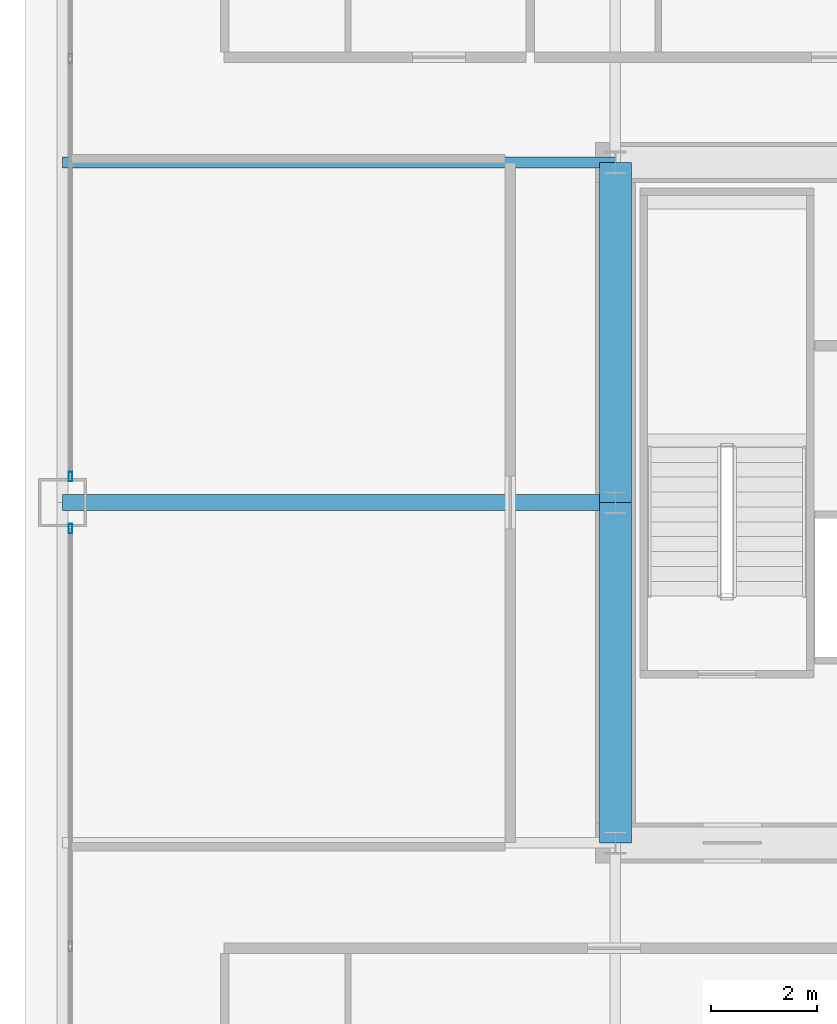
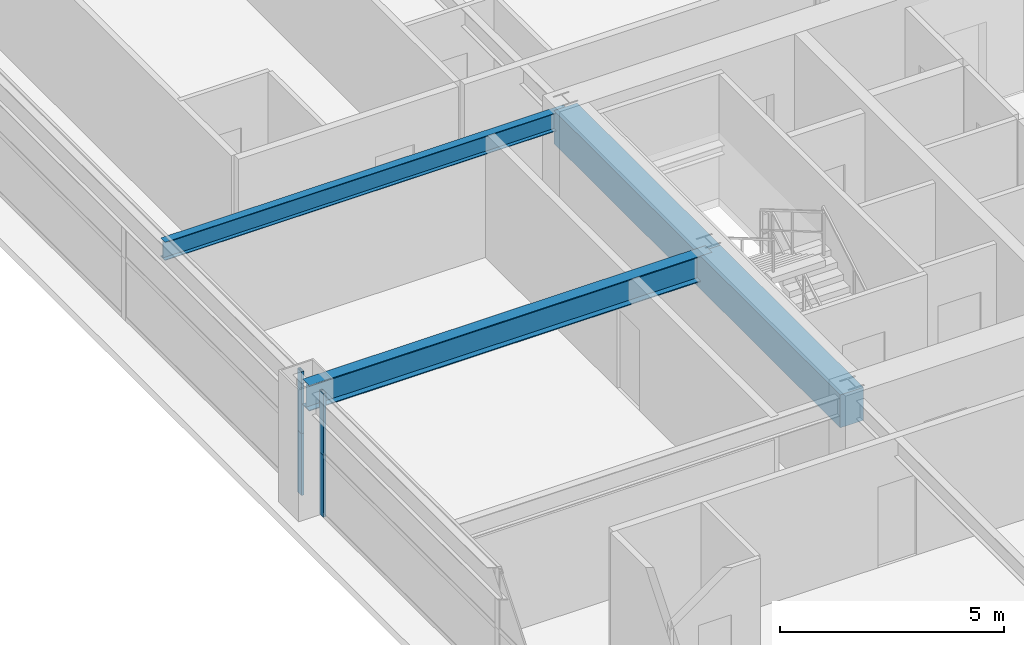
# One storey, part 11 of 38: 4 beams, 4 members, 2 elements without a shape of their own.
"""IFC4 building model written with IfcOpenShell, lengths in metres."""

from ifc_helpers import new_model, si_unit, direction, frame, origin, origin_2d, place, context, subcontext, project, spatial, rectangle, hollow_rectangle, i_section, extrude, source, transform, mapped, material, layer, layer_set, material_profile, profile_set, type_object, element, aggregate, save


model = new_model("IFC4")

# Units and contexts
model_context = context("Model", 3, precision=1e-05, world=origin(), true_north=direction((0.0, 1.0)))
body_context = subcontext(model_context, "Body", "Model", "MODEL_VIEW")
ifc_project = project(units=[si_unit("LENGTHUNIT", "METRE"), si_unit("AREAUNIT", "SQUARE_METRE"), si_unit("VOLUMEUNIT", "CUBIC_METRE"), si_unit("PLANEANGLEUNIT", "RADIAN"), si_unit("MASSUNIT", "GRAM", prefix="KILO"), si_unit("THERMODYNAMICTEMPERATUREUNIT", "KELVIN"), si_unit("POWERUNIT", "WATT")], contexts=[model_context])

# Site, building, storey
site_placement = place(None, origin())
site = spatial("IfcSite", under=ifc_project, at=site_placement, CompositionType="ELEMENT")
building_placement = place(site_placement, origin())
building = spatial("IfcBuilding", under=site, at=building_placement, Name="Yuzanri Waterfront Tower", CompositionType="ELEMENT")
storey_placement = place(building_placement, frame((0.0, 0.0, 119.0)))
storey = spatial("IfcBuildingStorey", under=building, at=storey_placement, Name="L31", CompositionType="ELEMENT", Elevation=119.0)

# Beams
ifc_material_1 = material(Name="Concrete C60", Category="concrete")
ifc_material_profile_1 = material_profile(ifc_material_1, rectangle(XDim=0.60009765625, YDim=0.89990234375, at=origin_2d()), Name="RC 600x900")
ifc_profile_set_1 = profile_set([ifc_material_profile_1], Name="Concrete C60")
beam_type_1 = type_object("IfcBeamType", Name="Core Coupling Lintel Concrete C60 600x900", PredefinedType="LINTEL", material=ifc_profile_set_1)
shared_shape_1 = source(origin(), body_context, "Body", "SweptSolid", [
    extrude(rectangle(XDim=0.60009765625, YDim=0.89990234375, at=origin_2d()), origin(), (0.0, 0.0, 1.0), 6.400146484375),
])
beam_1_placement = place(storey_placement, frame((23.800048828125, 19.39990234375, 2.929931640625), z_axis=(0.0, 1.0, 0.0), x_axis=(-1.0, 0.0, 0.0)))
element("IfcBeam", 1, at=beam_1_placement, inside=storey, type_object=beam_type_1, Name="L31 Core Tie Beam CW1", PredefinedType="LINTEL", context=body_context, shape_type="MappedRepresentation", body=[
    mapped(shared_shape_1, transform((0.0, 0.0, 0.0), scale=1.0)),
])
shared_shape_2 = source(origin(), body_context, "Body", "SweptSolid", [
    extrude(rectangle(XDim=0.60009765625, YDim=0.89990234375, at=origin_2d()), origin(), (0.0, 0.0, 1.0), 6.39990234375),
])
beam_2_placement = place(storey_placement, frame((23.800048828125, 25.800048828125, 2.929931640625), z_axis=(0.0, 1.0, 0.0), x_axis=(-1.0, 0.0, 0.0)))
element("IfcBeam", 2, at=beam_2_placement, inside=storey, type_object=beam_type_1, Name="L31 Core Tie Beam CW2", PredefinedType="LINTEL", context=body_context, shape_type="MappedRepresentation", body=[
    mapped(shared_shape_2, transform((0.0, 0.0, 0.0), scale=1.0)),
])
ifc_material_2 = material(Name="Steel Q355B", Category="steel")
ifc_material_profile_2 = material_profile(ifc_material_2, i_section(OverallWidth=0.300048828125, OverallDepth=0.699951171875, WebThickness=0.012939453125, FlangeThickness=0.02392578125, at=origin_2d()), Name="HN 700x300x13x24")
ifc_profile_set_2 = profile_set([ifc_material_profile_2], Name="Steel Q355B")
beam_type_2 = type_object("IfcBeamType", Name="Primary Floor Girder Q355B HN 700x300", PredefinedType="BEAM", material=ifc_profile_set_2)
shared_shape_3 = source(origin(), body_context, "Body", "SweptSolid", [
    extrude(i_section(OverallWidth=0.300048828125, OverallDepth=0.699951171875, WebThickness=0.012939453125, FlangeThickness=0.02392578125, at=origin_2d()), origin(), (0.0, 0.0, 1.0), 10.400146484375),
])
beam_3_placement = place(storey_placement, frame((23.800048828125, 25.800048828125, 3.030029296875), z_axis=(-1.0, 0.0, 0.0), x_axis=(0.0, -1.0, 0.0)))
element("IfcBeam", 3, at=beam_3_placement, inside=storey, type_object=beam_type_2, Name="L31 West Grid Girder", PredefinedType="BEAM", context=body_context, shape_type="MappedRepresentation", body=[
    mapped(shared_shape_3, transform((0.0, 0.0, 0.0), scale=1.0)),
])
ifc_material_3 = material(Name="Steel Q355B", Category="steel")
ifc_material_profile_3 = material_profile(ifc_material_3, i_section(OverallWidth=0.199951171875, OverallDepth=0.5, WebThickness=0.010009765625, FlangeThickness=0.01611328125, at=origin_2d()), Name="HN 500x200x10x16")
ifc_profile_set_3 = profile_set([ifc_material_profile_3], Name="Steel Q355B")
beam_type_3 = type_object("IfcBeamType", Name="Secondary Floor Beam Q355B HN 500x200", PredefinedType="BEAM", material=ifc_profile_set_3)
shared_shape_4 = source(origin(), body_context, "Body", "SweptSolid", [
    extrude(i_section(OverallWidth=0.199951171875, OverallDepth=0.5, WebThickness=0.010009765625, FlangeThickness=0.01611328125, at=origin_2d()), origin(), (0.0, 0.0, 1.0), 10.400146484375),
])
beam_4_placement = place(storey_placement, frame((23.800048828125, 32.199951171875, 3.1298828125), z_axis=(-1.0, 0.0, 0.0), x_axis=(0.0, -1.0, 0.0)))
element("IfcBeam", 4, at=beam_4_placement, inside=storey, type_object=beam_type_3, Name="L31 West-North Core Line Beam", PredefinedType="BEAM", context=body_context, shape_type="MappedRepresentation", body=[
    mapped(shared_shape_4, transform((0.0, 0.0, 0.0), scale=1.0)),
])

# Curtain wall, members
ifc_material_4 = material(Name="Anodized Architectural Bronze", Category="metal")
ifc_layer = layer(ifc_material_4, 0.159912109375)
ifc_layer_set = layer_set([ifc_layer], Name="Anodized Architectural Bronze")
curtain_wall_type = type_object("IfcCurtainWallType", Name="Anodized Bronze Hotel Upper-Tier Solar-Control Unitized Curtain Wall 7800", PredefinedType="NOTDEFINED", material=ifc_layer_set)
curtain_wall_1_placement = place(storey_placement, origin())
curtain_wall_1 = element("IfcCurtainWall", 5, at=curtain_wall_1_placement, inside=storey, type_object=curtain_wall_type, Name="L31 Curtain Wall CW-L31-WL", PredefinedType="NOTDEFINED")
ifc_material_5 = material(Name="Anodized Architectural Bronze", Category="metal")
ifc_material_profile_4 = material_profile(ifc_material_5, hollow_rectangle(XDim=0.070068359375, YDim=0.179931640625, WallThickness=0.00390625, at=origin_2d()), Name="CWM 70x180")
ifc_profile_set_4 = profile_set([ifc_material_profile_4], Name="Anodized Architectural Bronze")
member_type = type_object("IfcMemberType", Name="Anodized Bronze Standard Curtain-Wall Mullion 70x180", PredefinedType="MULLION", material=ifc_profile_set_4)
shared_shape_5 = source(origin(), body_context, "Body", "SweptSolid", [
    extrude(hollow_rectangle(XDim=0.070068359375, YDim=0.179931640625, WallThickness=0.00390625, at=origin_2d()), origin(), (0.0, 0.0, 1.0), 1.68798828125),
])
member_1_placement = place(storey_placement, frame((13.550048828125, 25.31005859375, 0.0), z_axis=(0.0, 0.0, 1.0), x_axis=(1.0, 0.0, 0.0)))
member_1 = element("IfcMember", 6, at=member_1_placement, type_object=member_type, Name="CW-L31-WL Lower Mullion 02", PredefinedType="MULLION", context=body_context, shape_type="MappedRepresentation", body=[
    mapped(shared_shape_5, transform((0.0, 0.0, 0.0), scale=1.0)),
])
member_2_placement = place(storey_placement, frame((13.550048828125, 25.31005859375, 1.69189453125), z_axis=(0.0, 0.0, 1.0), x_axis=(1.0, 0.0, 0.0)))
member_2 = element("IfcMember", 7, at=member_2_placement, type_object=member_type, Name="CW-L31-WL Upper Mullion 02", PredefinedType="MULLION", context=body_context, shape_type="MappedRepresentation", body=[
    mapped(shared_shape_5, transform((0.0, 0.0, 0.0), scale=1.0)),
])
aggregate(curtain_wall_1, [member_1, member_2])

curtain_wall_2_placement = place(storey_placement, origin())
curtain_wall_2 = element("IfcCurtainWall", 8, at=curtain_wall_2_placement, inside=storey, type_object=curtain_wall_type, Name="L31 Curtain Wall CW-L31-WR", PredefinedType="NOTDEFINED")
member_3_placement = place(storey_placement, frame((13.550048828125, 26.2900390625, 0.0), z_axis=(0.0, 0.0, 1.0), x_axis=(1.0, 0.0, 0.0)))
member_3 = element("IfcMember", 9, at=member_3_placement, type_object=member_type, Name="CW-L31-WR Lower Mullion 00", PredefinedType="MULLION", context=body_context, shape_type="MappedRepresentation", body=[
    mapped(shared_shape_5, transform((0.0, 0.0, 0.0), scale=1.0)),
])
member_4_placement = place(storey_placement, frame((13.550048828125, 26.2900390625, 1.69189453125), z_axis=(0.0, 0.0, 1.0), x_axis=(1.0, 0.0, 0.0)))
member_4 = element("IfcMember", 10, at=member_4_placement, type_object=member_type, Name="CW-L31-WR Upper Mullion 00", PredefinedType="MULLION", context=body_context, shape_type="MappedRepresentation", body=[
    mapped(shared_shape_5, transform((0.0, 0.0, 0.0), scale=1.0)),
])
aggregate(curtain_wall_2, [member_3, member_4])

save(model, "model.ifc")
